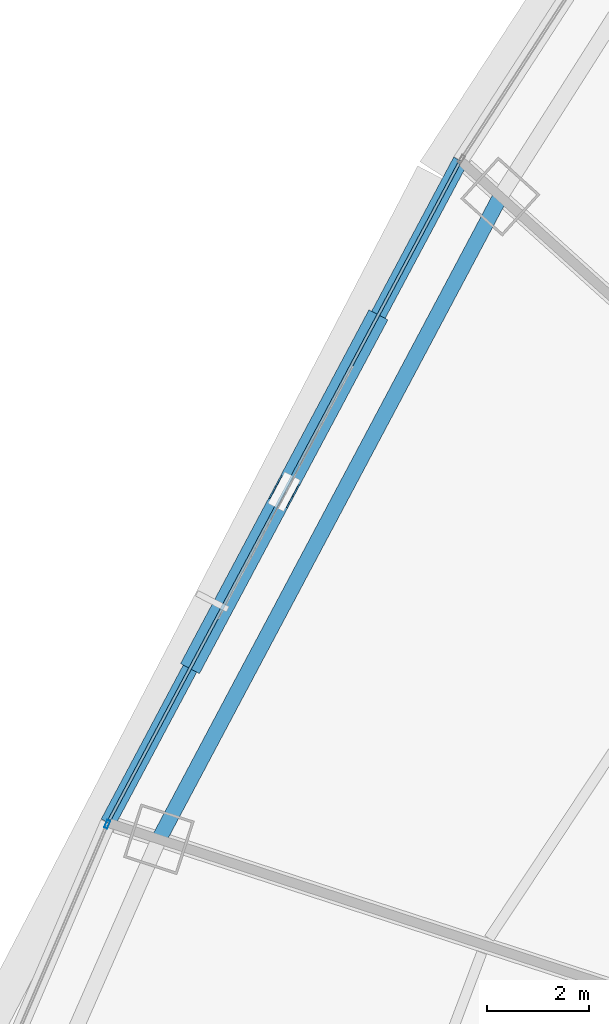
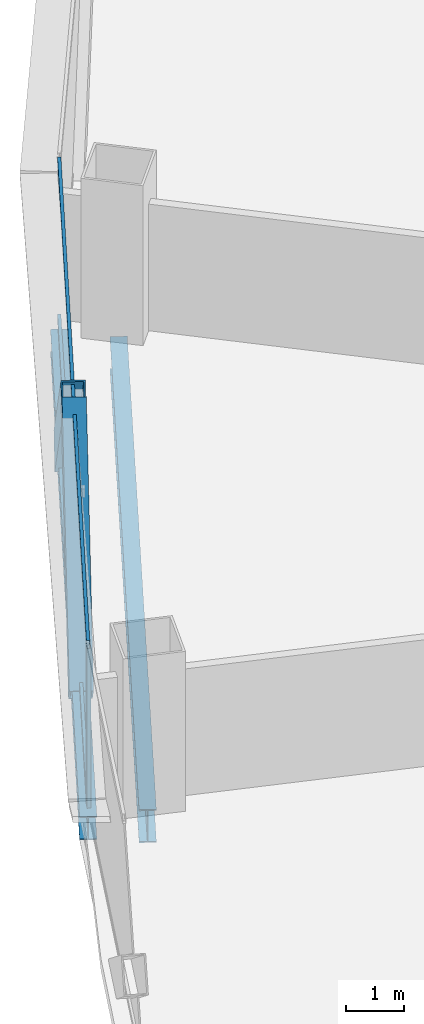
# One storey, part 14 of 40: 5 members, 2 beams, 2 elements without a shape of their own.
"""IFC4 building model written with IfcOpenShell, lengths in metres."""

from ifc_helpers import new_model, si_unit, direction, frame, origin, origin_2d, place, context, subcontext, project, spatial, hollow_rectangle, i_section, extrude, source, transform, mapped, material, layer, layer_set, material_profile, profile_set, type_object, element, aggregate, save


model = new_model("IFC4")

# Units and contexts
model_context = context("Model", 3, precision=1e-05, world=origin(), true_north=direction((0.0, 1.0)))
body_context = subcontext(model_context, "Body", "Model", "MODEL_VIEW")
ifc_project = project(units=[si_unit("LENGTHUNIT", "METRE"), si_unit("AREAUNIT", "SQUARE_METRE"), si_unit("VOLUMEUNIT", "CUBIC_METRE"), si_unit("PLANEANGLEUNIT", "RADIAN"), si_unit("MASSUNIT", "GRAM", prefix="KILO"), si_unit("THERMODYNAMICTEMPERATUREUNIT", "KELVIN"), si_unit("POWERUNIT", "WATT")], contexts=[model_context])

# Site, building, storey
site_placement = place(None, origin())
site = spatial("IfcSite", under=ifc_project, at=site_placement, CompositionType="ELEMENT")
building_placement = place(site_placement, origin())
building = spatial("IfcBuilding", under=site, at=building_placement, Name="Yunzhuo Pagoda Commons", CompositionType="ELEMENT")
storey_placement = place(building_placement, frame((0.0, 0.0, 66.699951171875)))
storey = spatial("IfcBuildingStorey", under=building, at=storey_placement, Name="L17", CompositionType="ELEMENT", Elevation=66.699951171875)

# Beams
ifc_material_1 = material(Name="Structural steel Q355B", Category="steel")
ifc_material_profile_1 = material_profile(ifc_material_1, i_section(OverallWidth=0.300048828125, OverallDepth=0.699951171875, WebThickness=0.012939453125, FlangeThickness=0.02392578125, at=origin_2d()), Name="Structural steel Q355B")
ifc_profile_set_1 = profile_set([ifc_material_profile_1], Name="Structural steel Q355B")
beam_type_1 = type_object("IfcBeamType", Name="B-RG1 Beam HN 700x300x13x24", PredefinedType="BEAM", material=ifc_profile_set_1)
shared_shape_1 = source(origin(), body_context, "Body", "SweptSolid", [
    extrude(i_section(OverallWidth=0.300048828125, OverallDepth=0.699951171875, WebThickness=0.012939453125, FlangeThickness=0.02392578125, at=origin_2d()), origin(), (0.0, 0.0, 1.0), 14.25390625),
])
beam_1_placement = place(storey_placement, frame((22.351318359375, 56.79443359375, -0.60986328125), z_axis=(-0.469118073628, -0.883135455633, 0.0), x_axis=(0.883135455633, -0.469118073628, 0.0)))
element("IfcBeam", 1, at=beam_1_placement, inside=storey, type_object=beam_type_1, Name="L17 column-ring beam 10", PredefinedType="BEAM", context=body_context, shape_type="MappedRepresentation", body=[
    mapped(shared_shape_1, transform((0.0, 0.0, 0.0), scale=1.0)),
])
ifc_material_profile_2 = material_profile(ifc_material_1, i_section(OverallWidth=0.300048828125, OverallDepth=0.488037109375, WebThickness=0.010986328125, FlangeThickness=0.01806640625, at=origin_2d()), Name="Structural steel Q355B")
ifc_profile_set_2 = profile_set([ifc_material_profile_2], Name="Structural steel Q355B")
beam_type_2 = type_object("IfcBeamType", Name="B-SP1 Beam HM 488x300x11x18", PredefinedType="BEAM", material=ifc_profile_set_2)
shared_shape_2 = source(origin(), body_context, "Body", "SweptSolid", [
    extrude(i_section(OverallWidth=0.300048828125, OverallDepth=0.488037109375, WebThickness=0.010986328125, FlangeThickness=0.01806640625, at=origin_2d()), origin(), (0.0, 0.0, 1.0), 14.68994140625),
])
beam_2_placement = place(storey_placement, frame((21.571044921875, 57.496826171875, -0.50390625), z_axis=(-0.470054191836, -0.882637556836, 0.0), x_axis=(0.882637556836, -0.470054191836, 0.0)))
element("IfcBeam", 2, at=beam_2_placement, inside=storey, type_object=beam_type_2, Name="L17 facade edge spandrel beam F3.2", PredefinedType="BEAM", context=body_context, shape_type="MappedRepresentation", body=[
    mapped(shared_shape_2, transform((0.0, 0.0, 0.0), scale=1.0)),
])

# Members
ifc_material_2 = material(Name="Structural steel Q420B", Category="steel")
ifc_material_profile_3 = material_profile(ifc_material_2, hollow_rectangle(XDim=0.419921875, YDim=0.719970703125, WallThickness=0.028076171875, at=origin_2d()), Name="Structural steel Q420B")
ifc_profile_set_3 = profile_set([ifc_material_profile_3], Name="Structural steel Q420B")
member_type_1 = type_object("IfcMemberType", Name="M-DL1 Brace BOX 720x420x28", PredefinedType="BRACE", material=ifc_profile_set_3)
shared_shape_3 = source(origin(), body_context, "Body", "SweptSolid", [
    extrude(hollow_rectangle(XDim=0.419921875, YDim=0.719970703125, WallThickness=0.028076171875, at=origin_2d()), origin(), (0.0, 0.0, 1.0), 5.163818359375),
])
for number, where, z_axis, x_axis, name in (
    (3, (19.8447265625, 54.25537109375, -0.260009765625), (-0.334310385921, -0.627724366267, 0.702992664158), (0.882630661501, -0.470067139224, 0.0), "L17 facade diamond brace F3.2L"),
    (4, (16.39208984375, 47.7724609375, -0.260009765625), (0.334310385921, 0.627724366267, 0.702992664158), (-0.882630661501, 0.470067139224, 0.0), "L17 facade diamond brace F3.2R"),
):
    element("IfcMember", number, at=place(storey_placement, frame(where, z_axis=z_axis, x_axis=x_axis)), inside=storey, type_object=member_type_1, Name=name, PredefinedType="BRACE", context=body_context, shape_type="MappedRepresentation", body=[
        mapped(shared_shape_3, transform((0.0, 0.0, 0.0), scale=1.0)),
    ])

# Curtain wall, member
ifc_material_3 = material(Name="Anodized aluminium 6063-T6", Category="aluminium")
ifc_layer = layer(ifc_material_3, 0.1650390625)
ifc_layer_set = layer_set([ifc_layer], Name="Anodized aluminium 6063-T6")
curtain_wall_type = type_object("IfcCurtainWallType", Name="CW-LOW Low-Zone Ribbon Curtain Wall", PredefinedType="NOTDEFINED", material=ifc_layer_set)
curtain_wall_1_placement = place(storey_placement, origin())
curtain_wall_1 = element("IfcCurtainWall", 5, at=curtain_wall_1_placement, inside=storey, type_object=curtain_wall_type, Name="L17 curtain wall CW-L17-F3B4", PredefinedType="NOTDEFINED")
ifc_material_profile_4 = material_profile(ifc_material_3, hollow_rectangle(XDim=0.06494140625, YDim=0.1650390625, WallThickness=0.00390625, at=origin_2d()), Name="Anodized aluminium 6063-T6")
ifc_profile_set_4 = profile_set([ifc_material_profile_4], Name="Anodized aluminium 6063-T6")
member_type_2 = type_object("IfcMemberType", Name="CW-LOW-M Mullion RHS 165x65x4", PredefinedType="MULLION", material=ifc_profile_set_4)
shared_shape_4 = source(origin(), body_context, "Body", "SweptSolid", [
    extrude(hollow_rectangle(XDim=0.06494140625, YDim=0.1650390625, WallThickness=0.00390625, at=origin_2d()), origin(), (0.0, 0.0, 1.0), 3.3701171875),
])
member_1_placement = place(storey_placement, frame((14.653076171875, 44.5009765625, 0.0), z_axis=(0.0, 0.0, 1.0), x_axis=(0.919121093161, -0.39397514656, 0.0)))
member_1 = element("IfcMember", 6, at=member_1_placement, type_object=member_type_2, Name="CW mullion 1", PredefinedType="MULLION", context=body_context, shape_type="MappedRepresentation", body=[
    mapped(shared_shape_4, transform((0.0, 0.0, 0.0), scale=1.0)),
])
aggregate(curtain_wall_1, [member_1])

# Curtain wall, members
curtain_wall_2_placement = place(storey_placement, origin())
curtain_wall_2 = element("IfcCurtainWall", 7, at=curtain_wall_2_placement, inside=storey, type_object=curtain_wall_type, Name="L17 curtain wall CW-L17-F3B3", PredefinedType="NOTDEFINED")
ifc_material_profile_5 = material_profile(ifc_material_3, hollow_rectangle(XDim=0.06005859375, YDim=0.139892578125, WallThickness=0.00341796875, at=origin_2d()), Name="Anodized aluminium 6063-T6")
ifc_profile_set_5 = profile_set([ifc_material_profile_5], Name="Anodized aluminium 6063-T6")
member_type_3 = type_object("IfcMemberType", Name="CW-LOW-T Transom RHS 140x60x3.5", PredefinedType="USERDEFINED", material=ifc_profile_set_5)
shared_shape_5 = source(origin(), body_context, "Body", "SweptSolid", [
    extrude(hollow_rectangle(XDim=0.06005859375, YDim=0.139892578125, WallThickness=0.00341796875, at=origin_2d()), origin(), (0.0, 0.0, 1.0), 14.559814453125),
])
member_2_placement = place(storey_placement, frame((21.54052734375, 57.439453125, 0.0302734375), z_axis=(-0.470058129853, -0.882635459609, 0.0), x_axis=(0.882635459609, -0.470058129853, 0.0)))
member_2 = element("IfcMember", 8, at=member_2_placement, type_object=member_type_3, Name="CW transom 1.1", ObjectType="TRANSOM", PredefinedType="USERDEFINED", context=body_context, shape_type="MappedRepresentation", body=[
    mapped(shared_shape_5, transform((0.0, 0.0, 0.0), scale=1.0)),
])
member_3_placement = place(storey_placement, frame((21.54052734375, 57.439453125, 3.340087890625), z_axis=(-0.470058129853, -0.882635459609, 0.0), x_axis=(0.882635459609, -0.470058129853, 0.0)))
member_3 = element("IfcMember", 9, at=member_3_placement, type_object=member_type_3, Name="CW transom 1.2", ObjectType="TRANSOM", PredefinedType="USERDEFINED", context=body_context, shape_type="MappedRepresentation", body=[
    mapped(shared_shape_5, transform((0.0, 0.0, 0.0), scale=1.0)),
])
aggregate(curtain_wall_2, [member_2, member_3])

save(model, "model.ifc")
